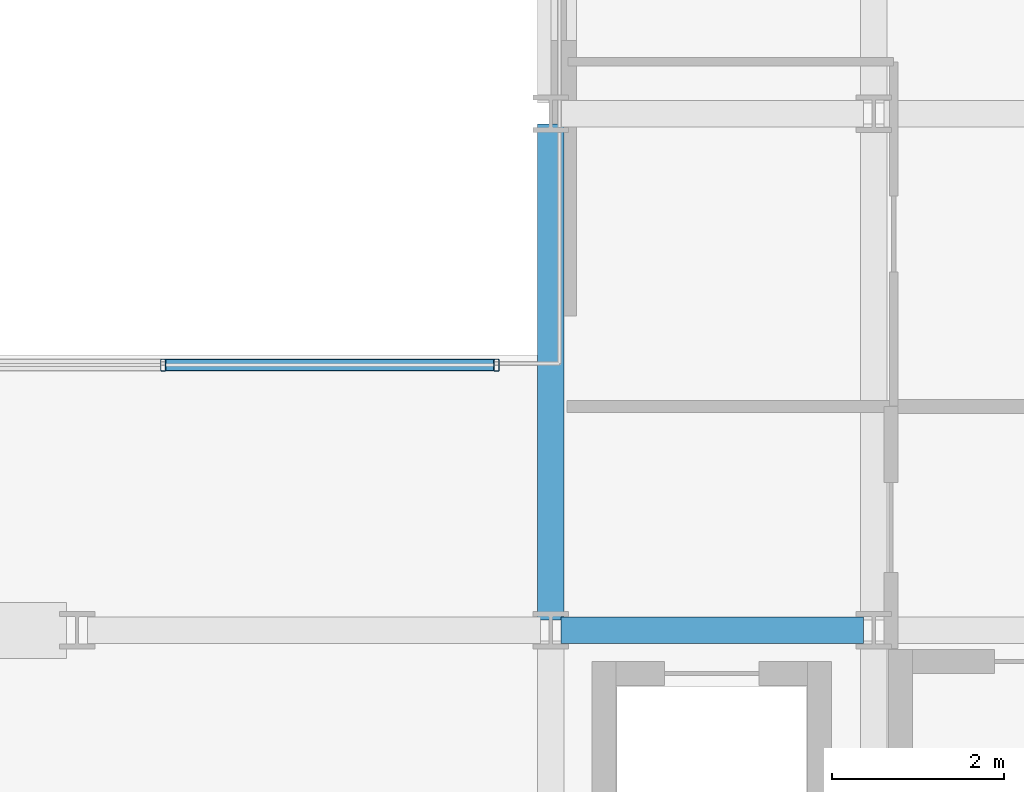
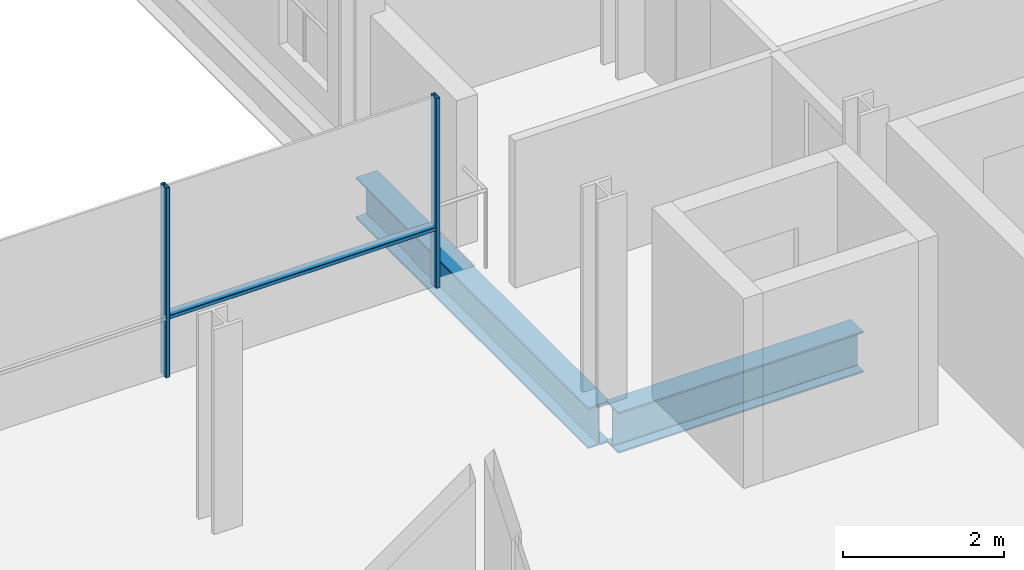
# One storey, part 13 of 41: 3 members, 2 beams, 1 element without a shape of its own.
"""IFC4 building model written with IfcOpenShell, lengths in metres."""

from ifc_helpers import new_model, si_unit, direction, frame, origin, origin_2d, place, context, subcontext, project, spatial, hollow_rectangle, i_section, extrude, material, layer, layer_set, material_profile, profile_set, type_object, element, aggregate, save


model = new_model("IFC4")

# Units and contexts
model_context = context("Model", 3, precision=1e-05, world=origin(), true_north=direction((0.0, 1.0)))
body_context = subcontext(model_context, "Body", "Model", "MODEL_VIEW")
ifc_project = project(units=[si_unit("LENGTHUNIT", "METRE"), si_unit("AREAUNIT", "SQUARE_METRE"), si_unit("VOLUMEUNIT", "CUBIC_METRE"), si_unit("PLANEANGLEUNIT", "RADIAN"), si_unit("MASSUNIT", "GRAM", prefix="KILO")], contexts=[model_context])

# Site, building, storey
site_placement = place(None, origin())
site = spatial("IfcSite", under=ifc_project, at=site_placement, CompositionType="ELEMENT")
building_placement = place(site_placement, origin())
building = spatial("IfcBuilding", under=site, at=building_placement, Name="Brevholm Reach", CompositionType="ELEMENT")
storey_placement = place(building_placement, frame((0.0, 0.0, 86.89990234375)))
storey = spatial("IfcBuildingStorey", under=building, at=storey_placement, Name="L25", CompositionType="ELEMENT", Elevation=86.89990234375)

# Beams
ifc_material_1 = material(Name="Structural Steel S355J2", Category="steel")
ifc_material_profile_1 = material_profile(ifc_material_1, i_section(OverallWidth=0.30712890625, OverallDepth=0.6201171875, WebThickness=0.01416015625, FlangeThickness=0.023681640625, FilletRadius=0.0166015625, at=origin_2d()), Name="UKB 610x305x179")
ifc_profile_set_1 = profile_set([ifc_material_profile_1], Name="Structural Steel S355J2")
beam_type = type_object("IfcBeamType", Name="BM-UKB610H", PredefinedType="USERDEFINED", material=ifc_profile_set_1)
beam_1_placement = place(storey_placement, frame((38.3701171875, 10.0, -0.5400390625), z_axis=(1.0, 0.0, 0.0), x_axis=(0.0, 1.0, 0.0)))
element("IfcBeam", 1, at=beam_1_placement, inside=storey, type_object=beam_type, Name="L25 G-06 Framing Beam", ObjectType="GIRDER", PredefinedType="USERDEFINED", context=body_context, shape_type="SweptSolid", body=[
    extrude(i_section(OverallWidth=0.30712890625, OverallDepth=0.6201171875, WebThickness=0.01416015625, FlangeThickness=0.023681640625, FilletRadius=0.0166015625, at=origin_2d()), origin(), (0.0, 0.0, 1.0), 3.509765625),
])
beam_2_placement = place(storey_placement, frame((38.25, 10.1201171875, -0.5400390625), z_axis=(0.0, 1.0, 0.0), x_axis=(-1.0, 0.0, 0.0)))
element("IfcBeam", 2, at=beam_2_placement, inside=storey, type_object=beam_type, Name="L25 G-06 Framing Beam", ObjectType="GIRDER", PredefinedType="USERDEFINED", context=body_context, shape_type="SweptSolid", body=[
    extrude(i_section(OverallWidth=0.30712890625, OverallDepth=0.6201171875, WebThickness=0.01416015625, FlangeThickness=0.023681640625, FilletRadius=0.0166015625, at=origin_2d()), origin(), (0.0, 0.0, 1.0), 5.759765625),
])

# Curtain wall, members
ifc_material_2 = material(Name="Dark Anodised Aluminium 6063-T6 and Solar-Control Glass", Category="aluminium")
ifc_layer = layer(ifc_material_2, 0.139892578125)
ifc_layer_set = layer_set([ifc_layer], Name="Dark Anodised Aluminium 6063-T6 and Solar-Control Glass")
curtain_wall_type = type_object("IfcCurtainWallType", Name="CW-02", PredefinedType="NOTDEFINED", material=ifc_layer_set)
curtain_wall_placement = place(storey_placement, origin())
curtain_wall = element("IfcCurtainWall", 3, at=curtain_wall_placement, inside=storey, type_object=curtain_wall_type, Name="L25 Curtain Wall CW-02", PredefinedType="NOTDEFINED")
ifc_material_3 = material(Name="Dark Anodised Aluminium 6063-T6", Category="aluminium")
ifc_material_profile_2 = material_profile(ifc_material_3, hollow_rectangle(XDim=0.06005859375, YDim=0.139892578125, WallThickness=0.0048828125, InnerFilletRadius=0.0048828125, OuterFilletRadius=0.010009765625, at=origin_2d()), Name="RHS 140x60x5")
ifc_profile_set_2 = profile_set([ifc_material_profile_2], Name="Dark Anodised Aluminium 6063-T6")
member_type_1 = type_object("IfcMemberType", Name="CWM-140", PredefinedType="MULLION", material=ifc_profile_set_2)
member_1_placement = place(storey_placement, frame((33.75, 13.080078125, 0.0), z_axis=(0.0, 0.0, 1.0), x_axis=(1.0, 0.0, 0.0)))
member_1 = element("IfcMember", 4, at=member_1_placement, type_object=member_type_1, Name="CM-140 Mullion 4", PredefinedType="MULLION", context=body_context, shape_type="SweptSolid", body=[
    extrude(hollow_rectangle(XDim=0.06005859375, YDim=0.139892578125, WallThickness=0.0048828125, InnerFilletRadius=0.0048828125, OuterFilletRadius=0.010009765625, at=origin_2d()), origin(), (0.0, 0.0, 1.0), 2.8701171875),
])
member_2_placement = place(storey_placement, frame((37.6201171875, 13.080078125, 0.0), z_axis=(0.0, 0.0, 1.0), x_axis=(1.0, 0.0, 0.0)))
member_2 = element("IfcMember", 5, at=member_2_placement, type_object=member_type_1, Name="CM-140 Mullion 5", PredefinedType="MULLION", context=body_context, shape_type="SweptSolid", body=[
    extrude(hollow_rectangle(XDim=0.06005859375, YDim=0.139892578125, WallThickness=0.0048828125, InnerFilletRadius=0.0048828125, OuterFilletRadius=0.010009765625, at=origin_2d()), origin(), (0.0, 0.0, 1.0), 2.8701171875),
])
ifc_material_4 = material(Name="Dark Anodised Aluminium 6063-T6", Category="aluminium")
ifc_material_profile_3 = material_profile(ifc_material_4, hollow_rectangle(XDim=0.06005859375, YDim=0.139892578125, WallThickness=0.0048828125, InnerFilletRadius=0.0048828125, OuterFilletRadius=0.010009765625, at=origin_2d()), Name="RHS 140x60x5")
ifc_profile_set_3 = profile_set([ifc_material_profile_3], Name="Dark Anodised Aluminium 6063-T6")
member_type_2 = type_object("IfcMemberType", Name="CWT-140", PredefinedType="NOTDEFINED", material=ifc_profile_set_3)
member_3_placement = place(storey_placement, frame((33.780029296875, 13.080078125, 0.900146484375), z_axis=(1.0, 0.0, 0.0), x_axis=(0.0, 0.0, 1.0)))
member_3 = element("IfcMember", 6, at=member_3_placement, type_object=member_type_2, Name="CT-140 Transom 4.1", ObjectType="TRANSOM", PredefinedType="USERDEFINED", context=body_context, shape_type="SweptSolid", body=[
    extrude(hollow_rectangle(XDim=0.06005859375, YDim=0.139892578125, WallThickness=0.0048828125, InnerFilletRadius=0.0048828125, OuterFilletRadius=0.010009765625, at=origin_2d()), origin(), (0.0, 0.0, 1.0), 3.81005859375),
])
aggregate(curtain_wall, [member_1, member_2, member_3])

save(model, "model.ifc")
